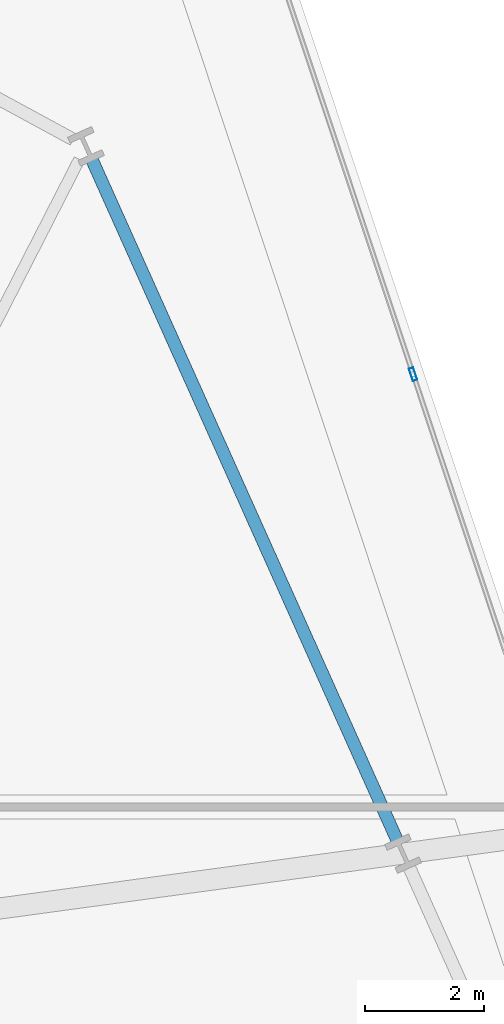
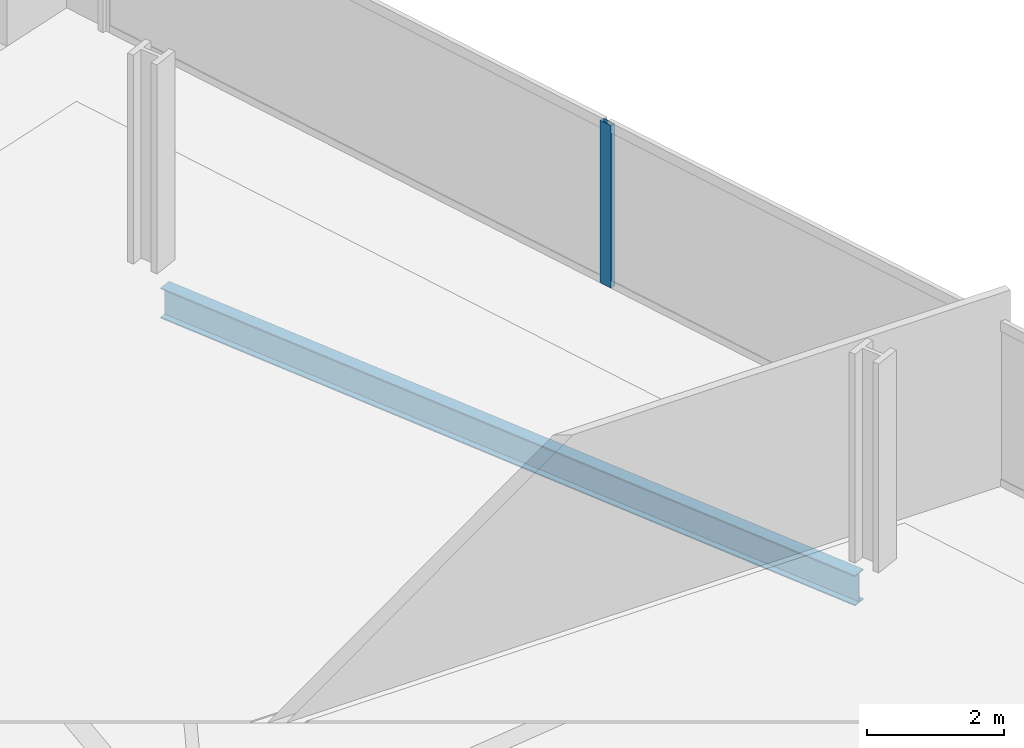
# One storey, part 21 of 34: 1 beam, 1 member, 1 element without a shape of its own.
"""IFC4 building model written with IfcOpenShell, lengths in metres."""

from ifc_helpers import new_model, si_unit, direction, frame, origin, origin_2d, place, context, subcontext, project, spatial, hollow_rectangle, i_section, extrude, material, material_profile, profile_set, type_object, element, aggregate, save


model = new_model("IFC4")

# Units and contexts
model_context = context("Model", 3, precision=1e-05, world=origin(), true_north=direction((0.0, 1.0)))
body_context = subcontext(model_context, "Body", "Model", "MODEL_VIEW")
ifc_project = project(units=[si_unit("LENGTHUNIT", "METRE"), si_unit("AREAUNIT", "SQUARE_METRE"), si_unit("VOLUMEUNIT", "CUBIC_METRE"), si_unit("PLANEANGLEUNIT", "RADIAN"), si_unit("MASSUNIT", "GRAM", prefix="KILO")], contexts=[model_context])

# Site, building, storey
site_placement = place(None, origin())
site = spatial("IfcSite", under=ifc_project, at=site_placement, CompositionType="ELEMENT")
building_placement = place(site_placement, origin())
building = spatial("IfcBuilding", under=site, at=building_placement, Name="Haldenkirk Collegiate Tower", CompositionType="ELEMENT")
storey_placement = place(building_placement, frame((0.0, 0.0, 90.449951171875)))
storey = spatial("IfcBuildingStorey", under=building, at=storey_placement, Name="L21", CompositionType="ELEMENT", Elevation=90.449951171875)

# Beam
ifc_material_1 = material(Name="Steel ASTM A992 Grade 50", Category="steel")
ifc_material_profile_1 = material_profile(ifc_material_1, i_section(OverallWidth=0.2119140625, OverallDepth=0.5439453125, WebThickness=0.01318359375, FlangeThickness=0.021240234375, at=origin_2d()), Name="W21X83")
ifc_profile_set_1 = profile_set([ifc_material_profile_1], Name="Steel ASTM A992 Grade 50")
beam_type = type_object("IfcBeamType", Name="BM-SPANDREL-W21X83", PredefinedType="SPANDREL", material=ifc_profile_set_1)
beam_placement = place(storey_placement, frame((57.15478515625, 35.89111328125, -0.572021484375), z_axis=(-0.409131464477, 0.912475448861, 0.0), x_axis=(-0.912475448861, -0.409131464477, 0.0)))
element("IfcBeam", 1, at=beam_placement, inside=storey, type_object=beam_type, Name="L21 perimeter spandrel beam 07", PredefinedType="SPANDREL", context=body_context, shape_type="SweptSolid", body=[
    extrude(i_section(OverallWidth=0.2119140625, OverallDepth=0.5439453125, WebThickness=0.01318359375, FlangeThickness=0.021240234375, at=origin_2d()), origin(), (0.0, 0.0, 1.0), 12.524169921875),
])

# Curtain wall, member
ifc_material_2 = material(Name="Anodised architectural bronze aluminium", Category="aluminium")
curtain_wall_type = type_object("IfcCurtainWallType", Name="CW-SYS1-CONVEX-LOW", PredefinedType="USERDEFINED", material=ifc_material_2)
curtain_wall_placement = place(storey_placement, origin())
curtain_wall = element("IfcCurtainWall", 2, at=curtain_wall_placement, inside=storey, type_object=curtain_wall_type, Name="L21 Lower tower convex bronze-framed unitised curtain wall", ObjectType="UNITISED CURTAIN WALL", PredefinedType="USERDEFINED")
ifc_material_profile_2 = material_profile(ifc_material_2, hollow_rectangle(XDim=0.080078125, YDim=0.219970703125, WallThickness=0.0048828125, at=origin_2d()), Name="CW-MUL-1A")
ifc_profile_set_2 = profile_set([ifc_material_profile_2], Name="Anodised architectural bronze aluminium")
member_type = type_object("IfcMemberType", Name="CW-MUL-1A", PredefinedType="MULLION", material=ifc_profile_set_2)
member_placement = place(storey_placement, frame((57.422607421875, 43.7177734375, 0.0), z_axis=(0.0, 0.0, 1.0), x_axis=(0.948876521826, 0.315647503281, 0.0)))
member = element("IfcMember", 3, at=member_placement, type_object=member_type, Name="CW-1A mullion 2", PredefinedType="MULLION", context=body_context, shape_type="SweptSolid", body=[
    extrude(hollow_rectangle(XDim=0.080078125, YDim=0.219970703125, WallThickness=0.0048828125, at=origin_2d()), origin(), (0.0, 0.0, 1.0), 2.901123046875),
])
aggregate(curtain_wall, [member])

save(model, "model.ifc")
